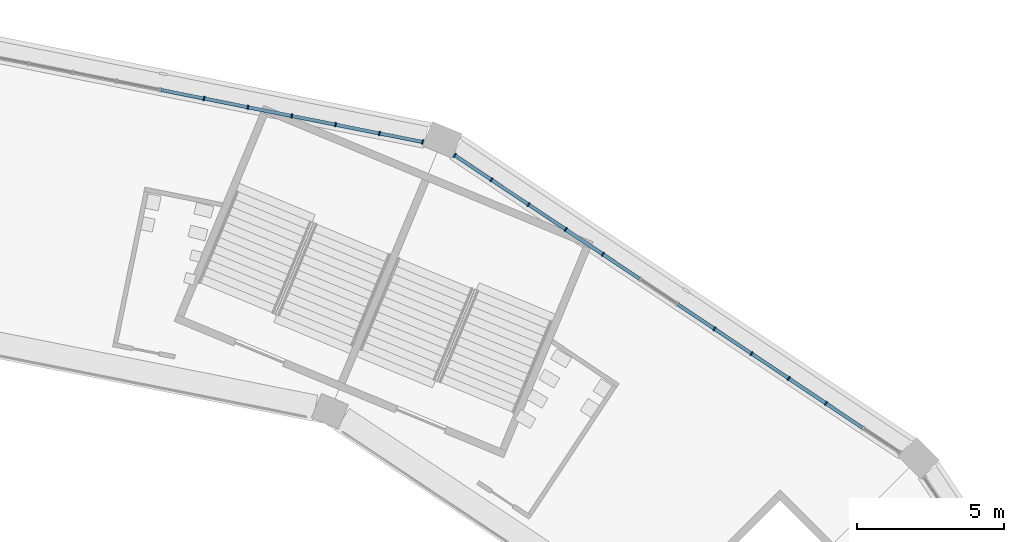
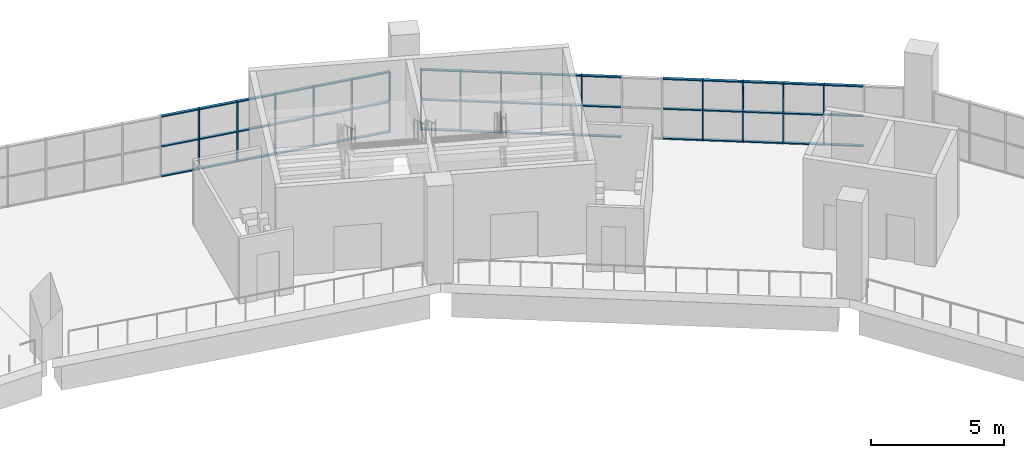
# One storey, part 41 of 177: 63 members, 2 elements without a shape of their own.
"""IFC4 building model written with IfcOpenShell, lengths in metres."""

from ifc_helpers import new_model, si_unit, direction, frame, origin, origin_2d, place, context, subcontext, project, spatial, rectangle, extrude, material, material_profile, profile_set, type_object, element, aggregate, save


model = new_model("IFC4")

# Units and contexts
model_context = context("Model", 3, precision=1e-05, world=origin(), true_north=direction((0.0, 1.0)))
body_context = subcontext(model_context, "Body", "Model", "MODEL_VIEW")
ifc_project = project(units=[si_unit("LENGTHUNIT", "METRE"), si_unit("AREAUNIT", "SQUARE_METRE"), si_unit("VOLUMEUNIT", "CUBIC_METRE"), si_unit("PLANEANGLEUNIT", "RADIAN"), si_unit("MASSUNIT", "GRAM", prefix="KILO")], contexts=[model_context])

# Site, building, storey
site_placement = place(None, origin())
site = spatial("IfcSite", under=ifc_project, at=site_placement, CompositionType="ELEMENT")
building_placement = place(site_placement, origin())
building = spatial("IfcBuilding", under=site, at=building_placement, Name="Ogive Plaza Stadium", CompositionType="ELEMENT")
storey_placement = place(building_placement, frame((0.0, 0.0, 18.0)))
storey = spatial("IfcBuildingStorey", under=building, at=storey_placement, Name="L04", CompositionType="ELEMENT", Elevation=18.0)

# Curtain wall, members
ifc_material_1 = material(Name="Bronze-anodised aluminium with laminated glass", Category="aluminium")
curtain_wall_type = type_object("IfcCurtainWallType", Name="Lancet curtain wall", PredefinedType="NOTDEFINED", material=ifc_material_1)
curtain_wall_1_placement = place(storey_placement, origin())
curtain_wall_1 = element("IfcCurtainWall", 1, at=curtain_wall_1_placement, inside=storey, type_object=curtain_wall_type, Name="CURTAIN WALL B37 L04", PredefinedType="NOTDEFINED")
ifc_material_2 = material(Name="Bronze-anodised aluminium", Category="aluminium")
ifc_material_profile_1 = material_profile(ifc_material_2, rectangle(XDim=0.14990234375, YDim=0.050048828125, at=origin_2d()), Name="AL 150x50")
ifc_profile_set_1 = profile_set([ifc_material_profile_1], Name="Bronze-anodised aluminium")
member_type_1 = type_object("IfcMemberType", Name="Curtain wall mullion 50x150", PredefinedType="MULLION", material=ifc_profile_set_1)
member_1_placement = place(storey_placement, frame((45.021240234375, 100.103759765625, 0.0), z_axis=(0.0, 0.0, 1.0), x_axis=(0.195090322033, 0.9807852804, 0.0)))
member_1 = element("IfcMember", 2, at=member_1_placement, type_object=member_type_1, Name="CW-B37-L04 mullion 8", PredefinedType="MULLION", context=body_context, shape_type="SweptSolid", body=[
    extrude(rectangle(XDim=0.14990234375, YDim=0.050048828125, at=origin_2d()), origin(), (0.0, 0.0, 1.0), 2.7900390625),
])
member_2_placement = place(storey_placement, frame((46.51416015625, 99.806884765625, 0.0), z_axis=(0.0, 0.0, 1.0), x_axis=(0.195090322033, 0.9807852804, 0.0)))
member_2 = element("IfcMember", 3, at=member_2_placement, type_object=member_type_1, Name="CW-B37-L04 mullion 9", PredefinedType="MULLION", context=body_context, shape_type="SweptSolid", body=[
    extrude(rectangle(XDim=0.14990234375, YDim=0.050048828125, at=origin_2d()), origin(), (0.0, 0.0, 1.0), 2.7900390625),
])
member_3_placement = place(storey_placement, frame((48.00732421875, 99.509765625, 0.0), z_axis=(0.0, 0.0, 1.0), x_axis=(0.195090322033, 0.9807852804, 0.0)))
member_3 = element("IfcMember", 4, at=member_3_placement, type_object=member_type_1, Name="CW-B37-L04 mullion 10", PredefinedType="MULLION", context=body_context, shape_type="SweptSolid", body=[
    extrude(rectangle(XDim=0.14990234375, YDim=0.050048828125, at=origin_2d()), origin(), (0.0, 0.0, 1.0), 2.7900390625),
])
member_4_placement = place(storey_placement, frame((49.50048828125, 99.212890625, 0.0), z_axis=(0.0, 0.0, 1.0), x_axis=(0.195090322033, 0.9807852804, 0.0)))
member_4 = element("IfcMember", 5, at=member_4_placement, type_object=member_type_1, Name="CW-B37-L04 mullion 11", PredefinedType="MULLION", context=body_context, shape_type="SweptSolid", body=[
    extrude(rectangle(XDim=0.14990234375, YDim=0.050048828125, at=origin_2d()), origin(), (0.0, 0.0, 1.0), 2.7900390625),
])
member_5_placement = place(storey_placement, frame((50.99365234375, 98.915771484375, 0.0), z_axis=(0.0, 0.0, 1.0), x_axis=(0.195090322033, 0.9807852804, 0.0)))
member_5 = element("IfcMember", 6, at=member_5_placement, type_object=member_type_1, Name="CW-B37-L04 mullion 12", PredefinedType="MULLION", context=body_context, shape_type="SweptSolid", body=[
    extrude(rectangle(XDim=0.14990234375, YDim=0.050048828125, at=origin_2d()), origin(), (0.0, 0.0, 1.0), 2.7900390625),
])
member_6_placement = place(storey_placement, frame((52.462158203125, 98.623779296875, 0.0), z_axis=(0.0, 0.0, 1.0), x_axis=(0.195090322033, 0.9807852804, 0.0)))
member_6 = element("IfcMember", 7, at=member_6_placement, type_object=member_type_1, Name="CW-B37-L04 mullion 13", PredefinedType="MULLION", context=body_context, shape_type="SweptSolid", body=[
    extrude(rectangle(XDim=0.14990234375, YDim=0.050048828125, at=origin_2d()), origin(), (0.0, 0.0, 1.0), 2.7900390625),
])

curtain_wall_2_placement = place(storey_placement, origin())
curtain_wall_2 = element("IfcCurtainWall", 8, at=curtain_wall_2_placement, inside=storey, type_object=curtain_wall_type, Name="CURTAIN WALL B38 L04", PredefinedType="NOTDEFINED")
member_7_placement = place(storey_placement, frame((53.559814453125, 98.169189453125, 0.0), z_axis=(0.0, 0.0, 1.0), x_axis=(0.55557023302, 0.831469612303, 0.0)))
member_7 = element("IfcMember", 9, at=member_7_placement, type_object=member_type_1, Name="CW-B38-L04 mullion 1", PredefinedType="MULLION", context=body_context, shape_type="SweptSolid", body=[
    extrude(rectangle(XDim=0.14990234375, YDim=0.050048828125, at=origin_2d()), origin(), (0.0, 0.0, 1.0), 2.7900390625),
])
member_8_placement = place(storey_placement, frame((54.8046875, 97.337158203125, 0.0), z_axis=(0.0, 0.0, 1.0), x_axis=(0.55557023302, 0.831469612303, 0.0)))
member_8 = element("IfcMember", 10, at=member_8_placement, type_object=member_type_1, Name="CW-B38-L04 mullion 2", PredefinedType="MULLION", context=body_context, shape_type="SweptSolid", body=[
    extrude(rectangle(XDim=0.14990234375, YDim=0.050048828125, at=origin_2d()), origin(), (0.0, 0.0, 1.0), 2.7900390625),
])
member_9_placement = place(storey_placement, frame((56.070556640625, 96.491455078125, 0.0), z_axis=(0.0, 0.0, 1.0), x_axis=(0.55557023302, 0.831469612303, 0.0)))
member_9 = element("IfcMember", 11, at=member_9_placement, type_object=member_type_1, Name="CW-B38-L04 mullion 3", PredefinedType="MULLION", context=body_context, shape_type="SweptSolid", body=[
    extrude(rectangle(XDim=0.14990234375, YDim=0.050048828125, at=origin_2d()), origin(), (0.0, 0.0, 1.0), 2.7900390625),
])
member_10_placement = place(storey_placement, frame((57.336181640625, 95.645751953125, 0.0), z_axis=(0.0, 0.0, 1.0), x_axis=(0.55557023302, 0.831469612303, 0.0)))
member_10 = element("IfcMember", 12, at=member_10_placement, type_object=member_type_1, Name="CW-B38-L04 mullion 4", PredefinedType="MULLION", context=body_context, shape_type="SweptSolid", body=[
    extrude(rectangle(XDim=0.14990234375, YDim=0.050048828125, at=origin_2d()), origin(), (0.0, 0.0, 1.0), 2.7900390625),
])
member_11_placement = place(storey_placement, frame((58.60205078125, 94.7998046875, 0.0), z_axis=(0.0, 0.0, 1.0), x_axis=(0.55557023302, 0.831469612303, 0.0)))
member_11 = element("IfcMember", 13, at=member_11_placement, type_object=member_type_1, Name="CW-B38-L04 mullion 5", PredefinedType="MULLION", context=body_context, shape_type="SweptSolid", body=[
    extrude(rectangle(XDim=0.14990234375, YDim=0.050048828125, at=origin_2d()), origin(), (0.0, 0.0, 1.0), 2.7900390625),
])
member_12_placement = place(storey_placement, frame((62.3994140625, 92.2626953125, 0.0), z_axis=(0.0, 0.0, 1.0), x_axis=(0.55557023302, 0.831469612303, 0.0)))
member_12 = element("IfcMember", 14, at=member_12_placement, type_object=member_type_1, Name="CW-B38-L04 mullion 8", PredefinedType="MULLION", context=body_context, shape_type="SweptSolid", body=[
    extrude(rectangle(XDim=0.14990234375, YDim=0.050048828125, at=origin_2d()), origin(), (0.0, 0.0, 1.0), 2.7900390625),
])
member_13_placement = place(storey_placement, frame((63.665283203125, 91.416748046875, 0.0), z_axis=(0.0, 0.0, 1.0), x_axis=(0.55557023302, 0.831469612303, 0.0)))
member_13 = element("IfcMember", 15, at=member_13_placement, type_object=member_type_1, Name="CW-B38-L04 mullion 9", PredefinedType="MULLION", context=body_context, shape_type="SweptSolid", body=[
    extrude(rectangle(XDim=0.14990234375, YDim=0.050048828125, at=origin_2d()), origin(), (0.0, 0.0, 1.0), 2.7900390625),
])
member_14_placement = place(storey_placement, frame((64.930908203125, 90.571044921875, 0.0), z_axis=(0.0, 0.0, 1.0), x_axis=(0.55557023302, 0.831469612303, 0.0)))
member_14 = element("IfcMember", 16, at=member_14_placement, type_object=member_type_1, Name="CW-B38-L04 mullion 10", PredefinedType="MULLION", context=body_context, shape_type="SweptSolid", body=[
    extrude(rectangle(XDim=0.14990234375, YDim=0.050048828125, at=origin_2d()), origin(), (0.0, 0.0, 1.0), 2.7900390625),
])
member_15_placement = place(storey_placement, frame((66.19677734375, 89.725341796875, 0.0), z_axis=(0.0, 0.0, 1.0), x_axis=(0.55557023302, 0.831469612303, 0.0)))
member_15 = element("IfcMember", 17, at=member_15_placement, type_object=member_type_1, Name="CW-B38-L04 mullion 11", PredefinedType="MULLION", context=body_context, shape_type="SweptSolid", body=[
    extrude(rectangle(XDim=0.14990234375, YDim=0.050048828125, at=origin_2d()), origin(), (0.0, 0.0, 1.0), 2.7900390625),
])

# Member
ifc_material_3 = material(Name="Bronze-anodised aluminium", Category="aluminium")
ifc_material_profile_2 = material_profile(ifc_material_3, rectangle(XDim=0.1201171875, YDim=0.050048828125, at=origin_2d()), Name="AL 120x50")
ifc_profile_set_2 = profile_set([ifc_material_profile_2], Name="Bronze-anodised aluminium")
member_type_2 = type_object("IfcMemberType", Name="Curtain wall transom 50x120", PredefinedType="USERDEFINED", material=ifc_profile_set_2)
member_16_placement = place(storey_placement, frame((43.552490234375, 100.39599609375, 0.02490234375), z_axis=(0.980771529367, -0.195159440417, 0.0), x_axis=(0.195159440417, 0.980771529367, 0.0)))
member_16 = element("IfcMember", 18, at=member_16_placement, type_object=member_type_2, Name="CW-B37-L04 transom 7.1", ObjectType="TRANSOM", PredefinedType="USERDEFINED", context=body_context, shape_type="SweptSolid", body=[
    extrude(rectangle(XDim=0.1201171875, YDim=0.050048828125, at=origin_2d()), origin(), (0.0, 0.0, 1.0), 1.472412109375),
])

member_17_placement = place(storey_placement, frame((43.552490234375, 100.39599609375, 1.39501953125), z_axis=(0.980771529367, -0.195159440417, 0.0), x_axis=(0.195159440417, 0.980771529367, 0.0)))
member_17 = element("IfcMember", 19, at=member_17_placement, type_object=member_type_2, Name="CW-B37-L04 transom 7.2", ObjectType="TRANSOM", PredefinedType="USERDEFINED", context=body_context, shape_type="SweptSolid", body=[
    extrude(rectangle(XDim=0.1201171875, YDim=0.050048828125, at=origin_2d()), origin(), (0.0, 0.0, 1.0), 1.472412109375),
])

member_18_placement = place(storey_placement, frame((43.552490234375, 100.39599609375, 2.764892578125), z_axis=(0.980771529367, -0.195159440417, 0.0), x_axis=(0.195159440417, 0.980771529367, 0.0)))
member_18 = element("IfcMember", 20, at=member_18_placement, type_object=member_type_2, Name="CW-B37-L04 transom 7.3", ObjectType="TRANSOM", PredefinedType="USERDEFINED", context=body_context, shape_type="SweptSolid", body=[
    extrude(rectangle(XDim=0.1201171875, YDim=0.050048828125, at=origin_2d()), origin(), (0.0, 0.0, 1.0), 1.472412109375),
])

member_19_placement = place(storey_placement, frame((45.045654296875, 100.098876953125, 0.02490234375), z_axis=(0.980803254763, -0.194999937042, 0.0), x_axis=(0.194999937042, 0.980803254763, 0.0)))
member_19 = element("IfcMember", 21, at=member_19_placement, type_object=member_type_2, Name="CW-B37-L04 transom 8.1", ObjectType="TRANSOM", PredefinedType="USERDEFINED", context=body_context, shape_type="SweptSolid", body=[
    extrude(rectangle(XDim=0.1201171875, YDim=0.050048828125, at=origin_2d()), origin(), (0.0, 0.0, 1.0), 1.472412109375),
])

member_20_placement = place(storey_placement, frame((45.045654296875, 100.098876953125, 1.39501953125), z_axis=(0.980803254763, -0.194999937042, 0.0), x_axis=(0.194999937042, 0.980803254763, 0.0)))
member_20 = element("IfcMember", 22, at=member_20_placement, type_object=member_type_2, Name="CW-B37-L04 transom 8.2", ObjectType="TRANSOM", PredefinedType="USERDEFINED", context=body_context, shape_type="SweptSolid", body=[
    extrude(rectangle(XDim=0.1201171875, YDim=0.050048828125, at=origin_2d()), origin(), (0.0, 0.0, 1.0), 1.472412109375),
])

member_21_placement = place(storey_placement, frame((45.045654296875, 100.098876953125, 2.764892578125), z_axis=(0.980803254763, -0.194999937042, 0.0), x_axis=(0.194999937042, 0.980803254763, 0.0)))
member_21 = element("IfcMember", 23, at=member_21_placement, type_object=member_type_2, Name="CW-B37-L04 transom 8.3", ObjectType="TRANSOM", PredefinedType="USERDEFINED", context=body_context, shape_type="SweptSolid", body=[
    extrude(rectangle(XDim=0.1201171875, YDim=0.050048828125, at=origin_2d()), origin(), (0.0, 0.0, 1.0), 1.472412109375),
])

member_22_placement = place(storey_placement, frame((46.538818359375, 99.802001953125, 0.02490234375), z_axis=(0.980771529367, -0.195159440417, 0.0), x_axis=(0.195159440417, 0.980771529367, 0.0)))
member_22 = element("IfcMember", 24, at=member_22_placement, type_object=member_type_2, Name="CW-B37-L04 transom 9.1", ObjectType="TRANSOM", PredefinedType="USERDEFINED", context=body_context, shape_type="SweptSolid", body=[
    extrude(rectangle(XDim=0.1201171875, YDim=0.050048828125, at=origin_2d()), origin(), (0.0, 0.0, 1.0), 1.472412109375),
])

member_23_placement = place(storey_placement, frame((46.538818359375, 99.802001953125, 1.39501953125), z_axis=(0.980771529367, -0.195159440417, 0.0), x_axis=(0.195159440417, 0.980771529367, 0.0)))
member_23 = element("IfcMember", 25, at=member_23_placement, type_object=member_type_2, Name="CW-B37-L04 transom 9.2", ObjectType="TRANSOM", PredefinedType="USERDEFINED", context=body_context, shape_type="SweptSolid", body=[
    extrude(rectangle(XDim=0.1201171875, YDim=0.050048828125, at=origin_2d()), origin(), (0.0, 0.0, 1.0), 1.472412109375),
])

member_24_placement = place(storey_placement, frame((46.538818359375, 99.802001953125, 2.764892578125), z_axis=(0.980771529367, -0.195159440417, 0.0), x_axis=(0.195159440417, 0.980771529367, 0.0)))
member_24 = element("IfcMember", 26, at=member_24_placement, type_object=member_type_2, Name="CW-B37-L04 transom 9.3", ObjectType="TRANSOM", PredefinedType="USERDEFINED", context=body_context, shape_type="SweptSolid", body=[
    extrude(rectangle(XDim=0.1201171875, YDim=0.050048828125, at=origin_2d()), origin(), (0.0, 0.0, 1.0), 1.472412109375),
])

member_25_placement = place(storey_placement, frame((48.031982421875, 99.5048828125, 0.02490234375), z_axis=(0.980796948065, -0.19503165555, 0.0), x_axis=(0.19503165555, 0.980796948065, 0.0)))
member_25 = element("IfcMember", 27, at=member_25_placement, type_object=member_type_2, Name="CW-B37-L04 transom 10.1", ObjectType="TRANSOM", PredefinedType="USERDEFINED", context=body_context, shape_type="SweptSolid", body=[
    extrude(rectangle(XDim=0.1201171875, YDim=0.050048828125, at=origin_2d()), origin(), (0.0, 0.0, 1.0), 1.47216796875),
])

member_26_placement = place(storey_placement, frame((48.031982421875, 99.5048828125, 1.39501953125), z_axis=(0.980796948065, -0.19503165555, 0.0), x_axis=(0.19503165555, 0.980796948065, 0.0)))
member_26 = element("IfcMember", 28, at=member_26_placement, type_object=member_type_2, Name="CW-B37-L04 transom 10.2", ObjectType="TRANSOM", PredefinedType="USERDEFINED", context=body_context, shape_type="SweptSolid", body=[
    extrude(rectangle(XDim=0.1201171875, YDim=0.050048828125, at=origin_2d()), origin(), (0.0, 0.0, 1.0), 1.47216796875),
])

member_27_placement = place(storey_placement, frame((48.031982421875, 99.5048828125, 2.764892578125), z_axis=(0.980796948065, -0.19503165555, 0.0), x_axis=(0.19503165555, 0.980796948065, 0.0)))
member_27 = element("IfcMember", 29, at=member_27_placement, type_object=member_type_2, Name="CW-B37-L04 transom 10.3", ObjectType="TRANSOM", PredefinedType="USERDEFINED", context=body_context, shape_type="SweptSolid", body=[
    extrude(rectangle(XDim=0.1201171875, YDim=0.050048828125, at=origin_2d()), origin(), (0.0, 0.0, 1.0), 1.47216796875),
])

member_28_placement = place(storey_placement, frame((49.52490234375, 99.2080078125, 0.02490234375), z_axis=(0.980771529367, -0.195159440417, 0.0), x_axis=(0.195159440417, 0.980771529367, 0.0)))
member_28 = element("IfcMember", 30, at=member_28_placement, type_object=member_type_2, Name="CW-B37-L04 transom 11.1", ObjectType="TRANSOM", PredefinedType="USERDEFINED", context=body_context, shape_type="SweptSolid", body=[
    extrude(rectangle(XDim=0.1201171875, YDim=0.050048828125, at=origin_2d()), origin(), (0.0, 0.0, 1.0), 1.472412109375),
])

member_29_placement = place(storey_placement, frame((49.52490234375, 99.2080078125, 1.39501953125), z_axis=(0.980771529367, -0.195159440417, 0.0), x_axis=(0.195159440417, 0.980771529367, 0.0)))
member_29 = element("IfcMember", 31, at=member_29_placement, type_object=member_type_2, Name="CW-B37-L04 transom 11.2", ObjectType="TRANSOM", PredefinedType="USERDEFINED", context=body_context, shape_type="SweptSolid", body=[
    extrude(rectangle(XDim=0.1201171875, YDim=0.050048828125, at=origin_2d()), origin(), (0.0, 0.0, 1.0), 1.472412109375),
])

member_30_placement = place(storey_placement, frame((49.52490234375, 99.2080078125, 2.764892578125), z_axis=(0.980771529367, -0.195159440417, 0.0), x_axis=(0.195159440417, 0.980771529367, 0.0)))
member_30 = element("IfcMember", 32, at=member_30_placement, type_object=member_type_2, Name="CW-B37-L04 transom 11.3", ObjectType="TRANSOM", PredefinedType="USERDEFINED", context=body_context, shape_type="SweptSolid", body=[
    extrude(rectangle(XDim=0.1201171875, YDim=0.050048828125, at=origin_2d()), origin(), (0.0, 0.0, 1.0), 1.472412109375),
])

member_31_placement = place(storey_placement, frame((51.01806640625, 98.910888671875, 0.02490234375), z_axis=(0.98080065826, -0.195012996379, 0.0), x_axis=(0.195012996379, 0.98080065826, 0.0)))
member_31 = element("IfcMember", 33, at=member_31_placement, type_object=member_type_2, Name="CW-B37-L04 transom 12.1", ObjectType="TRANSOM", PredefinedType="USERDEFINED", context=body_context, shape_type="SweptSolid", body=[
    extrude(rectangle(XDim=0.1201171875, YDim=0.050048828125, at=origin_2d()), origin(), (0.0, 0.0, 1.0), 1.447265625),
])

member_32_placement = place(storey_placement, frame((51.01806640625, 98.910888671875, 1.39501953125), z_axis=(0.98080065826, -0.195012996379, 0.0), x_axis=(0.195012996379, 0.98080065826, 0.0)))
member_32 = element("IfcMember", 34, at=member_32_placement, type_object=member_type_2, Name="CW-B37-L04 transom 12.2", ObjectType="TRANSOM", PredefinedType="USERDEFINED", context=body_context, shape_type="SweptSolid", body=[
    extrude(rectangle(XDim=0.1201171875, YDim=0.050048828125, at=origin_2d()), origin(), (0.0, 0.0, 1.0), 1.447265625),
])

member_33_placement = place(storey_placement, frame((51.01806640625, 98.910888671875, 2.764892578125), z_axis=(0.98080065826, -0.195012996379, 0.0), x_axis=(0.195012996379, 0.98080065826, 0.0)))
member_33 = element("IfcMember", 35, at=member_33_placement, type_object=member_type_2, Name="CW-B37-L04 transom 12.3", ObjectType="TRANSOM", PredefinedType="USERDEFINED", context=body_context, shape_type="SweptSolid", body=[
    extrude(rectangle(XDim=0.1201171875, YDim=0.050048828125, at=origin_2d()), origin(), (0.0, 0.0, 1.0), 1.447265625),
])

aggregate(curtain_wall_1, [member_1, member_2, member_3, member_4, member_5, member_6, member_16, member_17, member_18, member_19, member_20, member_21, member_22, member_23, member_24, member_25, member_26, member_27, member_28, member_29, member_30, member_31, member_32, member_33])

member_34_placement = place(storey_placement, frame((53.58056640625, 98.1552734375, 0.02490234375), z_axis=(0.831426948977, -0.555634077892, 0.0), x_axis=(0.555634077892, 0.831426948977, 0.0)))
member_34 = element("IfcMember", 36, at=member_34_placement, type_object=member_type_2, Name="CW-B38-L04 transom 1.1", ObjectType="TRANSOM", PredefinedType="USERDEFINED", context=body_context, shape_type="SweptSolid", body=[
    extrude(rectangle(XDim=0.1201171875, YDim=0.050048828125, at=origin_2d()), origin(), (0.0, 0.0, 1.0), 1.447265625),
])

member_35_placement = place(storey_placement, frame((53.58056640625, 98.1552734375, 1.39501953125), z_axis=(0.831426948977, -0.555634077892, 0.0), x_axis=(0.555634077892, 0.831426948977, 0.0)))
member_35 = element("IfcMember", 37, at=member_35_placement, type_object=member_type_2, Name="CW-B38-L04 transom 1.2", ObjectType="TRANSOM", PredefinedType="USERDEFINED", context=body_context, shape_type="SweptSolid", body=[
    extrude(rectangle(XDim=0.1201171875, YDim=0.050048828125, at=origin_2d()), origin(), (0.0, 0.0, 1.0), 1.447265625),
])

member_36_placement = place(storey_placement, frame((53.58056640625, 98.1552734375, 2.764892578125), z_axis=(0.831426948977, -0.555634077892, 0.0), x_axis=(0.555634077892, 0.831426948977, 0.0)))
member_36 = element("IfcMember", 38, at=member_36_placement, type_object=member_type_2, Name="CW-B38-L04 transom 1.3", ObjectType="TRANSOM", PredefinedType="USERDEFINED", context=body_context, shape_type="SweptSolid", body=[
    extrude(rectangle(XDim=0.1201171875, YDim=0.050048828125, at=origin_2d()), origin(), (0.0, 0.0, 1.0), 1.447265625),
])

member_37_placement = place(storey_placement, frame((54.825439453125, 97.3232421875, 0.02490234375), z_axis=(0.83153975619, -0.555465240925, 0.0), x_axis=(0.555465240925, 0.83153975619, 0.0)))
member_37 = element("IfcMember", 39, at=member_37_placement, type_object=member_type_2, Name="CW-B38-L04 transom 2.1", ObjectType="TRANSOM", PredefinedType="USERDEFINED", context=body_context, shape_type="SweptSolid", body=[
    extrude(rectangle(XDim=0.1201171875, YDim=0.050048828125, at=origin_2d()), origin(), (0.0, 0.0, 1.0), 1.472412109375),
])

member_38_placement = place(storey_placement, frame((54.825439453125, 97.3232421875, 1.39501953125), z_axis=(0.83153975619, -0.555465240925, 0.0), x_axis=(0.555465240925, 0.83153975619, 0.0)))
member_38 = element("IfcMember", 40, at=member_38_placement, type_object=member_type_2, Name="CW-B38-L04 transom 2.2", ObjectType="TRANSOM", PredefinedType="USERDEFINED", context=body_context, shape_type="SweptSolid", body=[
    extrude(rectangle(XDim=0.1201171875, YDim=0.050048828125, at=origin_2d()), origin(), (0.0, 0.0, 1.0), 1.472412109375),
])

member_39_placement = place(storey_placement, frame((54.825439453125, 97.3232421875, 2.764892578125), z_axis=(0.83153975619, -0.555465240925, 0.0), x_axis=(0.555465240925, 0.83153975619, 0.0)))
member_39 = element("IfcMember", 41, at=member_39_placement, type_object=member_type_2, Name="CW-B38-L04 transom 2.3", ObjectType="TRANSOM", PredefinedType="USERDEFINED", context=body_context, shape_type="SweptSolid", body=[
    extrude(rectangle(XDim=0.1201171875, YDim=0.050048828125, at=origin_2d()), origin(), (0.0, 0.0, 1.0), 1.472412109375),
])

member_40_placement = place(storey_placement, frame((56.09130859375, 96.4775390625, 0.02490234375), z_axis=(0.831488586159, -0.555541835587, 0.0), x_axis=(0.555541835587, 0.831488586159, 0.0)))
member_40 = element("IfcMember", 42, at=member_40_placement, type_object=member_type_2, Name="CW-B38-L04 transom 3.1", ObjectType="TRANSOM", PredefinedType="USERDEFINED", context=body_context, shape_type="SweptSolid", body=[
    extrude(rectangle(XDim=0.1201171875, YDim=0.050048828125, at=origin_2d()), origin(), (0.0, 0.0, 1.0), 1.47216796875),
])

member_41_placement = place(storey_placement, frame((56.09130859375, 96.4775390625, 1.39501953125), z_axis=(0.831488586159, -0.555541835587, 0.0), x_axis=(0.555541835587, 0.831488586159, 0.0)))
member_41 = element("IfcMember", 43, at=member_41_placement, type_object=member_type_2, Name="CW-B38-L04 transom 3.2", ObjectType="TRANSOM", PredefinedType="USERDEFINED", context=body_context, shape_type="SweptSolid", body=[
    extrude(rectangle(XDim=0.1201171875, YDim=0.050048828125, at=origin_2d()), origin(), (0.0, 0.0, 1.0), 1.47216796875),
])

member_42_placement = place(storey_placement, frame((56.09130859375, 96.4775390625, 2.764892578125), z_axis=(0.831488586159, -0.555541835587, 0.0), x_axis=(0.555541835587, 0.831488586159, 0.0)))
member_42 = element("IfcMember", 44, at=member_42_placement, type_object=member_type_2, Name="CW-B38-L04 transom 3.3", ObjectType="TRANSOM", PredefinedType="USERDEFINED", context=body_context, shape_type="SweptSolid", body=[
    extrude(rectangle(XDim=0.1201171875, YDim=0.050048828125, at=origin_2d()), origin(), (0.0, 0.0, 1.0), 1.47216796875),
])

member_43_placement = place(storey_placement, frame((57.357177734375, 95.6318359375, 0.02490234375), z_axis=(0.831411982446, -0.555656472512, 0.0), x_axis=(0.555656472512, 0.831411982446, 0.0)))
member_43 = element("IfcMember", 45, at=member_43_placement, type_object=member_type_2, Name="CW-B38-L04 transom 4.1", ObjectType="TRANSOM", PredefinedType="USERDEFINED", context=body_context, shape_type="SweptSolid", body=[
    extrude(rectangle(XDim=0.1201171875, YDim=0.050048828125, at=origin_2d()), origin(), (0.0, 0.0, 1.0), 1.472412109375),
])

member_44_placement = place(storey_placement, frame((57.357177734375, 95.6318359375, 1.39501953125), z_axis=(0.831411982446, -0.555656472512, 0.0), x_axis=(0.555656472512, 0.831411982446, 0.0)))
member_44 = element("IfcMember", 46, at=member_44_placement, type_object=member_type_2, Name="CW-B38-L04 transom 4.2", ObjectType="TRANSOM", PredefinedType="USERDEFINED", context=body_context, shape_type="SweptSolid", body=[
    extrude(rectangle(XDim=0.1201171875, YDim=0.050048828125, at=origin_2d()), origin(), (0.0, 0.0, 1.0), 1.472412109375),
])

member_45_placement = place(storey_placement, frame((57.357177734375, 95.6318359375, 2.764892578125), z_axis=(0.831411982446, -0.555656472512, 0.0), x_axis=(0.555656472512, 0.831411982446, 0.0)))
member_45 = element("IfcMember", 47, at=member_45_placement, type_object=member_type_2, Name="CW-B38-L04 transom 4.3", ObjectType="TRANSOM", PredefinedType="USERDEFINED", context=body_context, shape_type="SweptSolid", body=[
    extrude(rectangle(XDim=0.1201171875, YDim=0.050048828125, at=origin_2d()), origin(), (0.0, 0.0, 1.0), 1.472412109375),
])

member_46_placement = place(storey_placement, frame((58.622802734375, 94.7861328125, 0.02490234375), z_axis=(0.831463168883, -0.555579876157, 0.0), x_axis=(0.555579876157, 0.831463168883, 0.0)))
member_46 = element("IfcMember", 48, at=member_46_placement, type_object=member_type_2, Name="CW-B38-L04 transom 5.1", ObjectType="TRANSOM", PredefinedType="USERDEFINED", context=body_context, shape_type="SweptSolid", body=[
    extrude(rectangle(XDim=0.1201171875, YDim=0.050048828125, at=origin_2d()), origin(), (0.0, 0.0, 1.0), 1.47265625),
])

member_47_placement = place(storey_placement, frame((58.622802734375, 94.7861328125, 1.39501953125), z_axis=(0.831463168883, -0.555579876157, 0.0), x_axis=(0.555579876157, 0.831463168883, 0.0)))
member_47 = element("IfcMember", 49, at=member_47_placement, type_object=member_type_2, Name="CW-B38-L04 transom 5.2", ObjectType="TRANSOM", PredefinedType="USERDEFINED", context=body_context, shape_type="SweptSolid", body=[
    extrude(rectangle(XDim=0.1201171875, YDim=0.050048828125, at=origin_2d()), origin(), (0.0, 0.0, 1.0), 1.47265625),
])

member_48_placement = place(storey_placement, frame((58.622802734375, 94.7861328125, 2.764892578125), z_axis=(0.831463168883, -0.555579876157, 0.0), x_axis=(0.555579876157, 0.831463168883, 0.0)))
member_48 = element("IfcMember", 50, at=member_48_placement, type_object=member_type_2, Name="CW-B38-L04 transom 5.3", ObjectType="TRANSOM", PredefinedType="USERDEFINED", context=body_context, shape_type="SweptSolid", body=[
    extrude(rectangle(XDim=0.1201171875, YDim=0.050048828125, at=origin_2d()), origin(), (0.0, 0.0, 1.0), 1.47265625),
])

member_49_placement = place(storey_placement, frame((61.154541015625, 93.094482421875, 0.02490234375), z_axis=(0.831411982446, -0.555656472512, 0.0), x_axis=(0.555656472512, 0.831411982446, 0.0)))
member_49 = element("IfcMember", 51, at=member_49_placement, type_object=member_type_2, Name="CW-B38-L04 transom 7.1", ObjectType="TRANSOM", PredefinedType="USERDEFINED", context=body_context, shape_type="SweptSolid", body=[
    extrude(rectangle(XDim=0.1201171875, YDim=0.050048828125, at=origin_2d()), origin(), (0.0, 0.0, 1.0), 1.472412109375),
])

member_50_placement = place(storey_placement, frame((61.154541015625, 93.094482421875, 1.39501953125), z_axis=(0.831411982446, -0.555656472512, 0.0), x_axis=(0.555656472512, 0.831411982446, 0.0)))
member_50 = element("IfcMember", 52, at=member_50_placement, type_object=member_type_2, Name="CW-B38-L04 transom 7.2", ObjectType="TRANSOM", PredefinedType="USERDEFINED", context=body_context, shape_type="SweptSolid", body=[
    extrude(rectangle(XDim=0.1201171875, YDim=0.050048828125, at=origin_2d()), origin(), (0.0, 0.0, 1.0), 1.472412109375),
])

member_51_placement = place(storey_placement, frame((61.154541015625, 93.094482421875, 2.764892578125), z_axis=(0.831411982446, -0.555656472512, 0.0), x_axis=(0.555656472512, 0.831411982446, 0.0)))
member_51 = element("IfcMember", 53, at=member_51_placement, type_object=member_type_2, Name="CW-B38-L04 transom 7.3", ObjectType="TRANSOM", PredefinedType="USERDEFINED", context=body_context, shape_type="SweptSolid", body=[
    extrude(rectangle(XDim=0.1201171875, YDim=0.050048828125, at=origin_2d()), origin(), (0.0, 0.0, 1.0), 1.472412109375),
])

member_52_placement = place(storey_placement, frame((62.420166015625, 92.248779296875, 0.02490234375), z_axis=(0.831463168883, -0.555579876157, 0.0), x_axis=(0.555579876157, 0.831463168883, 0.0)))
member_52 = element("IfcMember", 54, at=member_52_placement, type_object=member_type_2, Name="CW-B38-L04 transom 8.1", ObjectType="TRANSOM", PredefinedType="USERDEFINED", context=body_context, shape_type="SweptSolid", body=[
    extrude(rectangle(XDim=0.1201171875, YDim=0.050048828125, at=origin_2d()), origin(), (0.0, 0.0, 1.0), 1.47265625),
])

member_53_placement = place(storey_placement, frame((62.420166015625, 92.248779296875, 1.39501953125), z_axis=(0.831463168883, -0.555579876157, 0.0), x_axis=(0.555579876157, 0.831463168883, 0.0)))
member_53 = element("IfcMember", 55, at=member_53_placement, type_object=member_type_2, Name="CW-B38-L04 transom 8.2", ObjectType="TRANSOM", PredefinedType="USERDEFINED", context=body_context, shape_type="SweptSolid", body=[
    extrude(rectangle(XDim=0.1201171875, YDim=0.050048828125, at=origin_2d()), origin(), (0.0, 0.0, 1.0), 1.47265625),
])

member_54_placement = place(storey_placement, frame((62.420166015625, 92.248779296875, 2.764892578125), z_axis=(0.831463168883, -0.555579876157, 0.0), x_axis=(0.555579876157, 0.831463168883, 0.0)))
member_54 = element("IfcMember", 56, at=member_54_placement, type_object=member_type_2, Name="CW-B38-L04 transom 8.3", ObjectType="TRANSOM", PredefinedType="USERDEFINED", context=body_context, shape_type="SweptSolid", body=[
    extrude(rectangle(XDim=0.1201171875, YDim=0.050048828125, at=origin_2d()), origin(), (0.0, 0.0, 1.0), 1.47265625),
])

member_55_placement = place(storey_placement, frame((63.68603515625, 91.40283203125, 0.02490234375), z_axis=(0.831488586159, -0.555541835587, 0.0), x_axis=(0.555541835587, 0.831488586159, 0.0)))
member_55 = element("IfcMember", 57, at=member_55_placement, type_object=member_type_2, Name="CW-B38-L04 transom 9.1", ObjectType="TRANSOM", PredefinedType="USERDEFINED", context=body_context, shape_type="SweptSolid", body=[
    extrude(rectangle(XDim=0.1201171875, YDim=0.050048828125, at=origin_2d()), origin(), (0.0, 0.0, 1.0), 1.47216796875),
])

member_56_placement = place(storey_placement, frame((63.68603515625, 91.40283203125, 1.39501953125), z_axis=(0.831488586159, -0.555541835587, 0.0), x_axis=(0.555541835587, 0.831488586159, 0.0)))
member_56 = element("IfcMember", 58, at=member_56_placement, type_object=member_type_2, Name="CW-B38-L04 transom 9.2", ObjectType="TRANSOM", PredefinedType="USERDEFINED", context=body_context, shape_type="SweptSolid", body=[
    extrude(rectangle(XDim=0.1201171875, YDim=0.050048828125, at=origin_2d()), origin(), (0.0, 0.0, 1.0), 1.47216796875),
])

member_57_placement = place(storey_placement, frame((63.68603515625, 91.40283203125, 2.764892578125), z_axis=(0.831488586159, -0.555541835587, 0.0), x_axis=(0.555541835587, 0.831488586159, 0.0)))
member_57 = element("IfcMember", 59, at=member_57_placement, type_object=member_type_2, Name="CW-B38-L04 transom 9.3", ObjectType="TRANSOM", PredefinedType="USERDEFINED", context=body_context, shape_type="SweptSolid", body=[
    extrude(rectangle(XDim=0.1201171875, YDim=0.050048828125, at=origin_2d()), origin(), (0.0, 0.0, 1.0), 1.47216796875),
])

member_58_placement = place(storey_placement, frame((64.95166015625, 90.55712890625, 0.02490234375), z_axis=(0.83153975619, -0.555465240925, 0.0), x_axis=(0.555465240925, 0.83153975619, 0.0)))
member_58 = element("IfcMember", 60, at=member_58_placement, type_object=member_type_2, Name="CW-B38-L04 transom 10.1", ObjectType="TRANSOM", PredefinedType="USERDEFINED", context=body_context, shape_type="SweptSolid", body=[
    extrude(rectangle(XDim=0.1201171875, YDim=0.050048828125, at=origin_2d()), origin(), (0.0, 0.0, 1.0), 1.472412109375),
])

member_59_placement = place(storey_placement, frame((64.95166015625, 90.55712890625, 1.39501953125), z_axis=(0.83153975619, -0.555465240925, 0.0), x_axis=(0.555465240925, 0.83153975619, 0.0)))
member_59 = element("IfcMember", 61, at=member_59_placement, type_object=member_type_2, Name="CW-B38-L04 transom 10.2", ObjectType="TRANSOM", PredefinedType="USERDEFINED", context=body_context, shape_type="SweptSolid", body=[
    extrude(rectangle(XDim=0.1201171875, YDim=0.050048828125, at=origin_2d()), origin(), (0.0, 0.0, 1.0), 1.472412109375),
])

member_60_placement = place(storey_placement, frame((64.95166015625, 90.55712890625, 2.764892578125), z_axis=(0.83153975619, -0.555465240925, 0.0), x_axis=(0.555465240925, 0.83153975619, 0.0)))
member_60 = element("IfcMember", 62, at=member_60_placement, type_object=member_type_2, Name="CW-B38-L04 transom 10.3", ObjectType="TRANSOM", PredefinedType="USERDEFINED", context=body_context, shape_type="SweptSolid", body=[
    extrude(rectangle(XDim=0.1201171875, YDim=0.050048828125, at=origin_2d()), origin(), (0.0, 0.0, 1.0), 1.472412109375),
])

member_61_placement = place(storey_placement, frame((66.217529296875, 89.71142578125, 0.02490234375), z_axis=(0.831411982446, -0.555656472512, 0.0), x_axis=(0.555656472512, 0.831411982446, 0.0)))
member_61 = element("IfcMember", 63, at=member_61_placement, type_object=member_type_2, Name="CW-B38-L04 transom 11.1", ObjectType="TRANSOM", PredefinedType="USERDEFINED", context=body_context, shape_type="SweptSolid", body=[
    extrude(rectangle(XDim=0.1201171875, YDim=0.050048828125, at=origin_2d()), origin(), (0.0, 0.0, 1.0), 1.472412109375),
])

member_62_placement = place(storey_placement, frame((66.217529296875, 89.71142578125, 1.39501953125), z_axis=(0.831411982446, -0.555656472512, 0.0), x_axis=(0.555656472512, 0.831411982446, 0.0)))
member_62 = element("IfcMember", 64, at=member_62_placement, type_object=member_type_2, Name="CW-B38-L04 transom 11.2", ObjectType="TRANSOM", PredefinedType="USERDEFINED", context=body_context, shape_type="SweptSolid", body=[
    extrude(rectangle(XDim=0.1201171875, YDim=0.050048828125, at=origin_2d()), origin(), (0.0, 0.0, 1.0), 1.472412109375),
])

member_63_placement = place(storey_placement, frame((66.217529296875, 89.71142578125, 2.764892578125), z_axis=(0.831411982446, -0.555656472512, 0.0), x_axis=(0.555656472512, 0.831411982446, 0.0)))
member_63 = element("IfcMember", 65, at=member_63_placement, type_object=member_type_2, Name="CW-B38-L04 transom 11.3", ObjectType="TRANSOM", PredefinedType="USERDEFINED", context=body_context, shape_type="SweptSolid", body=[
    extrude(rectangle(XDim=0.1201171875, YDim=0.050048828125, at=origin_2d()), origin(), (0.0, 0.0, 1.0), 1.472412109375),
])

aggregate(curtain_wall_2, [member_7, member_8, member_9, member_10, member_11, member_12, member_13, member_14, member_15, member_34, member_35, member_36, member_37, member_38, member_39, member_40, member_41, member_42, member_43, member_44, member_45, member_46, member_47, member_48, member_49, member_50, member_51, member_52, member_53, member_54, member_55, member_56, member_57, member_58, member_59, member_60, member_61, member_62, member_63])

save(model, "model.ifc")
